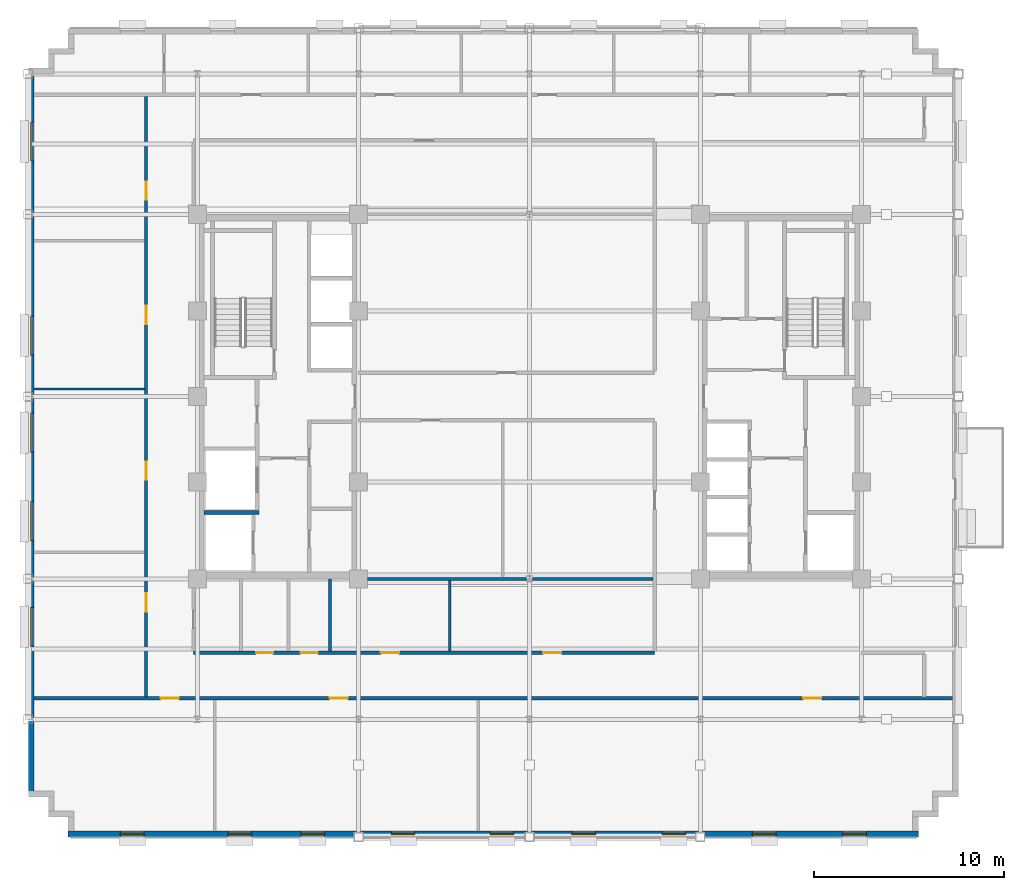
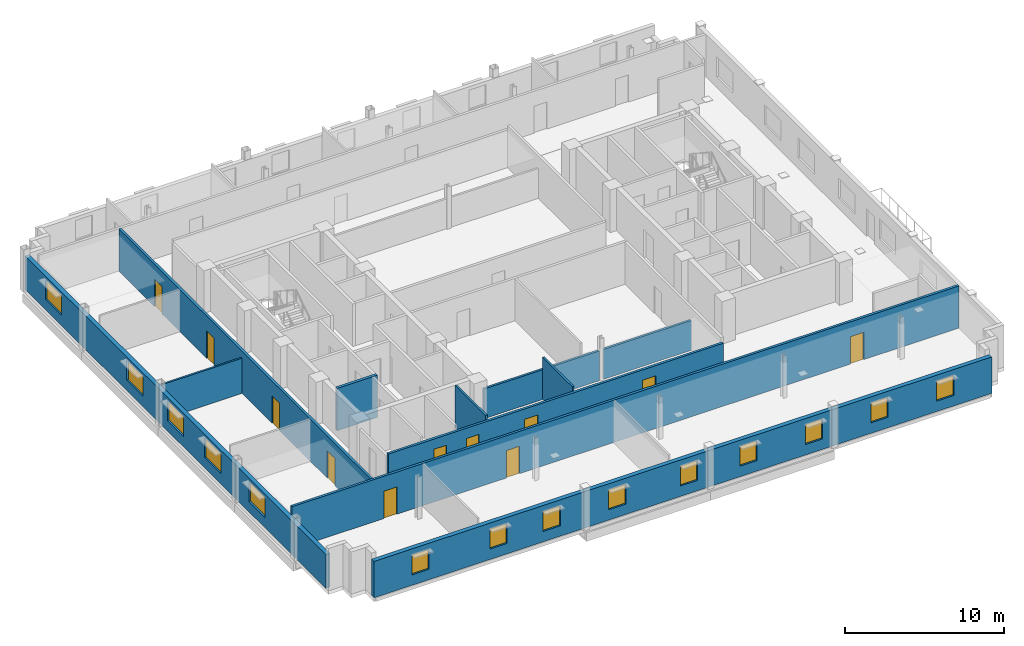
# One storey, part 7 of 15: 14 windows, 11 doors, 11 walls, 25 openings.
"""IFC4 building model written with IfcOpenShell, lengths in metres."""

from ifc_helpers import new_model, si_unit, direction, frame, frame_2d, origin, place, context, subcontext, project, spatial, rectangle, extrude, source, transform, mapped, material, layer, layer_set, type_object, type_shapes, element, fill, save


model = new_model("IFC4")

# Units and contexts
model_context = context("Model", 3, precision=1e-05, world=origin(), true_north=direction((0.0, 1.0)))
body_context = subcontext(model_context, "Body", "Model", "MODEL_VIEW")
ifc_project = project(units=[si_unit("LENGTHUNIT", "METRE"), si_unit("AREAUNIT", "SQUARE_METRE"), si_unit("VOLUMEUNIT", "CUBIC_METRE"), si_unit("PLANEANGLEUNIT", "RADIAN"), si_unit("MASSUNIT", "GRAM", prefix="KILO")], contexts=[model_context])

# Site, building, storey
site_placement = place(None, origin())
site = spatial("IfcSite", under=ifc_project, at=site_placement, CompositionType="ELEMENT")
building_placement = place(site_placement, origin())
building = spatial("IfcBuilding", under=site, at=building_placement, Name="Nuvemarco Arch Tower", CompositionType="ELEMENT")
storey_placement = place(building_placement, frame((0.0, 0.0, 205.5)))
storey = spatial("IfcBuildingStorey", under=building, at=storey_placement, Name="L54", CompositionType="ELEMENT", Elevation=205.5)

# Wall, openings, windows
ifc_material_1 = material(Name="Precast concrete C45/55", Category="concrete")
ifc_layer_1 = layer(ifc_material_1, 0.31005859375, Name="EW-UPP-310")
ifc_layer_set_1 = layer_set([ifc_layer_1], Name="Precast concrete C45/55")
wall_type_1 = type_object("IfcWallType", Name="EW-UPP-310", PredefinedType="STANDARD", material=ifc_layer_set_1)
wall_1_placement = place(storey_placement, frame((-24.300048828125, -23.044921875, 0.0), z_axis=(0.0, 0.0, 1.0), x_axis=(1.0, 0.0, 0.0)))
wall_1 = element("IfcWall", 1, at=wall_1_placement, inside=storey, type_object=wall_type_1, Name="L54 exterior precast facade wall 1", PredefinedType="STANDARD", context=body_context, shape_type="SweptSolid", body=[
    extrude(rectangle(XDim=44.800048828125, YDim=0.31005859375, at=frame_2d((22.39990234375, 0.0))), origin(), (0.0, 0.0, 1.0), 2.7919921875),
])
opening_1_placement = place(wall_1_placement, frame((2.752685546875, 0.0, 0.800048828125)))
opening_1 = element("IfcOpeningElement", 2, at=opening_1_placement, cuts=wall_1, Name="Opening WN-13", PredefinedType="OPENING", context=body_context, shape_type="SweptSolid", body=[
    extrude(rectangle(XDim=1.25, YDim=1.52001953125, at=frame_2d((0.625, 0.760009765625))), frame((0.0, 0.1650390625, 0.0), z_axis=(0.0, -1.0, 0.0), x_axis=(1.0, 0.0, 0.0)), (0.0, 0.0, 1.0), 0.330078125),
])
opening_2_placement = place(wall_1_placement, frame((8.408203125, 0.0, 0.800048828125)))
opening_2 = element("IfcOpeningElement", 3, at=opening_2_placement, cuts=wall_1, Name="Opening WN-13", PredefinedType="OPENING", context=body_context, shape_type="SweptSolid", body=[
    extrude(rectangle(XDim=1.25, YDim=1.52001953125, at=frame_2d((0.625, 0.760009765625))), frame((0.0, 0.1650390625, 0.0), z_axis=(0.0, -1.0, 0.0), x_axis=(1.0, 0.0, 0.0)), (0.0, 0.0, 1.0), 0.330078125),
])
opening_3_placement = place(wall_1_placement, frame((12.263916015625, 0.0, 0.800048828125)))
opening_3 = element("IfcOpeningElement", 4, at=opening_3_placement, cuts=wall_1, Name="Opening WN-13", PredefinedType="OPENING", context=body_context, shape_type="SweptSolid", body=[
    extrude(rectangle(XDim=1.25, YDim=1.52001953125, at=frame_2d((0.625, 0.760009765625))), frame((0.0, 0.1650390625, 0.0), z_axis=(0.0, -1.0, 0.0), x_axis=(1.0, 0.0, 0.0)), (0.0, 0.0, 1.0), 0.330078125),
])
opening_4_placement = place(wall_1_placement, frame((17.019287109375, 0.0, 0.800048828125)))
opening_4 = element("IfcOpeningElement", 5, at=opening_4_placement, cuts=wall_1, Name="Opening WN-13", PredefinedType="OPENING", context=body_context, shape_type="SweptSolid", body=[
    extrude(rectangle(XDim=1.25, YDim=1.52001953125, at=frame_2d((0.625, 0.760009765625))), frame((0.0, 0.1650390625, 0.0), z_axis=(0.0, -1.0, 0.0), x_axis=(1.0, 0.0, 0.0)), (0.0, 0.0, 1.0), 0.330078125),
])
opening_5_placement = place(wall_1_placement, frame((22.22509765625, 0.0, 0.800048828125)))
opening_5 = element("IfcOpeningElement", 6, at=opening_5_placement, cuts=wall_1, Name="Opening WN-13", PredefinedType="OPENING", context=body_context, shape_type="SweptSolid", body=[
    extrude(rectangle(XDim=1.25, YDim=1.52001953125, at=frame_2d((0.625, 0.760009765625))), frame((0.0, 0.1650390625, 0.0), z_axis=(0.0, -1.0, 0.0), x_axis=(1.0, 0.0, 0.0)), (0.0, 0.0, 1.0), 0.330078125),
])
opening_6_placement = place(wall_1_placement, frame((26.530517578125, 0.0, 0.800048828125)))
opening_6 = element("IfcOpeningElement", 7, at=opening_6_placement, cuts=wall_1, Name="Opening WN-13", PredefinedType="OPENING", context=body_context, shape_type="SweptSolid", body=[
    extrude(rectangle(XDim=1.25, YDim=1.52001953125, at=frame_2d((0.625, 0.760009765625))), frame((0.0, 0.1650390625, 0.0), z_axis=(0.0, -1.0, 0.0), x_axis=(1.0, 0.0, 0.0)), (0.0, 0.0, 1.0), 0.330078125),
])
opening_7_placement = place(wall_1_placement, frame((31.2861328125, 0.0, 0.800048828125)))
opening_7 = element("IfcOpeningElement", 8, at=opening_7_placement, cuts=wall_1, Name="Opening WN-13", PredefinedType="OPENING", context=body_context, shape_type="SweptSolid", body=[
    extrude(rectangle(XDim=1.25, YDim=1.52001953125, at=frame_2d((0.625, 0.760009765625))), frame((0.0, 0.1650390625, 0.0), z_axis=(0.0, -1.0, 0.0), x_axis=(1.0, 0.0, 0.0)), (0.0, 0.0, 1.0), 0.330078125),
])
opening_8_placement = place(wall_1_placement, frame((36.041748046875, 0.0, 0.800048828125)))
opening_8 = element("IfcOpeningElement", 9, at=opening_8_placement, cuts=wall_1, Name="Opening WN-13", PredefinedType="OPENING", context=body_context, shape_type="SweptSolid", body=[
    extrude(rectangle(XDim=1.25, YDim=1.52001953125, at=frame_2d((0.625, 0.760009765625))), frame((0.0, 0.1650390625, 0.0), z_axis=(0.0, -1.0, 0.0), x_axis=(1.0, 0.0, 0.0)), (0.0, 0.0, 1.0), 0.330078125),
])
opening_9_placement = place(wall_1_placement, frame((40.797119140625, 0.0, 0.800048828125)))
opening_9 = element("IfcOpeningElement", 10, at=opening_9_placement, cuts=wall_1, Name="Opening WN-13", PredefinedType="OPENING", context=body_context, shape_type="SweptSolid", body=[
    extrude(rectangle(XDim=1.25, YDim=1.52001953125, at=frame_2d((0.625, 0.760009765625))), frame((0.0, 0.1650390625, 0.0), z_axis=(0.0, -1.0, 0.0), x_axis=(1.0, 0.0, 0.0)), (0.0, 0.0, 1.0), 0.330078125),
])
ifc_material_2 = material(Name="Insulated solar-control glass", Category="glass")
window_type_1 = type_object("IfcWindowType", Name="WN-SET-1250x1520", PartitioningType="SINGLE_PANEL", PredefinedType="WINDOW", material=ifc_material_2)
shared_shape_1 = source(origin(), body_context, "Body", "SweptSolid", [
    extrude(rectangle(XDim=1.25, YDim=1.52001953125, at=frame_2d((0.625, 0.760009765625))), frame((0.0, 0.030029296875, 0.0), z_axis=(0.0, -1.0, 0.0), x_axis=(1.0, 0.0, 0.0)), (0.0, 0.0, 1.0), 0.06005859375),
])
type_shapes(window_type_1, [shared_shape_1])
window_1_placement = place(opening_1_placement, origin())
window_1 = element("IfcWindow", 11, at=window_1_placement, inside=storey, type_object=window_type_1, Name="L54 punched facade window 1", OverallHeight=1.52001953125, OverallWidth=1.25, PartitioningType="SINGLE_PANEL", PredefinedType="WINDOW", context=body_context, shape_type="MappedRepresentation", body=[
    mapped(shared_shape_1, transform((0.0, 0.0, 0.0), scale=1.0)),
])
fill(opening_1, window_1)
window_2_placement = place(opening_2_placement, origin())
window_2 = element("IfcWindow", 12, at=window_2_placement, inside=storey, type_object=window_type_1, Name="L54 punched facade window 2", OverallHeight=1.52001953125, OverallWidth=1.25, PartitioningType="SINGLE_PANEL", PredefinedType="WINDOW", context=body_context, shape_type="MappedRepresentation", body=[
    mapped(shared_shape_1, transform((0.0, 0.0, 0.0), scale=1.0)),
])
fill(opening_2, window_2)
window_3_placement = place(opening_3_placement, origin())
window_3 = element("IfcWindow", 13, at=window_3_placement, inside=storey, type_object=window_type_1, Name="L54 punched facade window 3", OverallHeight=1.52001953125, OverallWidth=1.25, PartitioningType="SINGLE_PANEL", PredefinedType="WINDOW", context=body_context, shape_type="MappedRepresentation", body=[
    mapped(shared_shape_1, transform((0.0, 0.0, 0.0), scale=1.0)),
])
fill(opening_3, window_3)
window_4_placement = place(opening_4_placement, origin())
window_4 = element("IfcWindow", 14, at=window_4_placement, inside=storey, type_object=window_type_1, Name="L54 punched facade window 4", OverallHeight=1.52001953125, OverallWidth=1.25, PartitioningType="SINGLE_PANEL", PredefinedType="WINDOW", context=body_context, shape_type="MappedRepresentation", body=[
    mapped(shared_shape_1, transform((0.0, 0.0, 0.0), scale=1.0)),
])
fill(opening_4, window_4)
window_5_placement = place(opening_5_placement, origin())
window_5 = element("IfcWindow", 15, at=window_5_placement, inside=storey, type_object=window_type_1, Name="L54 punched facade window 5", OverallHeight=1.52001953125, OverallWidth=1.25, PartitioningType="SINGLE_PANEL", PredefinedType="WINDOW", context=body_context, shape_type="MappedRepresentation", body=[
    mapped(shared_shape_1, transform((0.0, 0.0, 0.0), scale=1.0)),
])
fill(opening_5, window_5)
window_6_placement = place(opening_6_placement, origin())
window_6 = element("IfcWindow", 16, at=window_6_placement, inside=storey, type_object=window_type_1, Name="L54 punched facade window 6", OverallHeight=1.52001953125, OverallWidth=1.25, PartitioningType="SINGLE_PANEL", PredefinedType="WINDOW", context=body_context, shape_type="MappedRepresentation", body=[
    mapped(shared_shape_1, transform((0.0, 0.0, 0.0), scale=1.0)),
])
fill(opening_6, window_6)
window_7_placement = place(opening_7_placement, origin())
window_7 = element("IfcWindow", 17, at=window_7_placement, inside=storey, type_object=window_type_1, Name="L54 punched facade window 7", OverallHeight=1.52001953125, OverallWidth=1.25, PartitioningType="SINGLE_PANEL", PredefinedType="WINDOW", context=body_context, shape_type="MappedRepresentation", body=[
    mapped(shared_shape_1, transform((0.0, 0.0, 0.0), scale=1.0)),
])
fill(opening_7, window_7)
window_8_placement = place(opening_8_placement, origin())
window_8 = element("IfcWindow", 18, at=window_8_placement, inside=storey, type_object=window_type_1, Name="L54 punched facade window 8", OverallHeight=1.52001953125, OverallWidth=1.25, PartitioningType="SINGLE_PANEL", PredefinedType="WINDOW", context=body_context, shape_type="MappedRepresentation", body=[
    mapped(shared_shape_1, transform((0.0, 0.0, 0.0), scale=1.0)),
])
fill(opening_8, window_8)
window_9_placement = place(opening_9_placement, origin())
window_9 = element("IfcWindow", 19, at=window_9_placement, inside=storey, type_object=window_type_1, Name="L54 punched facade window 9", OverallHeight=1.52001953125, OverallWidth=1.25, PartitioningType="SINGLE_PANEL", PredefinedType="WINDOW", context=body_context, shape_type="MappedRepresentation", body=[
    mapped(shared_shape_1, transform((0.0, 0.0, 0.0), scale=1.0)),
])
fill(opening_9, window_9)

wall_2_placement = place(storey_placement, frame((-26.2451171875, -20.7939453125, 0.0), z_axis=(0.0, 0.0, 1.0), x_axis=(0.0, 1.0, 0.0)))
wall_2 = element("IfcWall", 20, at=wall_2_placement, inside=storey, type_object=wall_type_1, Name="L54 exterior precast facade wall 16", PredefinedType="STANDARD", context=body_context, shape_type="SweptSolid", body=[
    extrude(rectangle(XDim=37.787841796875, YDim=0.31005859375, at=frame_2d((18.89404296875, 0.0))), origin(), (0.0, 0.0, 1.0), 2.5849609375),
])
opening_10_placement = place(wall_2_placement, frame((7.643798828125, 0.0, 0.800048828125)))
opening_10 = element("IfcOpeningElement", 21, at=opening_10_placement, cuts=wall_2, Name="Opening WN-12", PredefinedType="OPENING", context=body_context, shape_type="SweptSolid", body=[
    extrude(rectangle(XDim=2.050048828125, YDim=1.52001953125, at=frame_2d((1.02490234375, 0.760009765625))), frame((0.0, 0.1650390625, 0.0), z_axis=(0.0, -1.0, 0.0), x_axis=(1.0, 0.0, 0.0)), (0.0, 0.0, 1.0), 0.330078125),
])
opening_11_placement = place(wall_2_placement, frame((13.206298828125, 0.0, 0.800048828125)))
opening_11 = element("IfcOpeningElement", 22, at=opening_11_placement, cuts=wall_2, Name="Opening WN-12", PredefinedType="OPENING", context=body_context, shape_type="SweptSolid", body=[
    extrude(rectangle(XDim=2.050048828125, YDim=1.52001953125, at=frame_2d((1.02490234375, 0.760009765625))), frame((0.0, 0.1650390625, 0.0), z_axis=(0.0, -1.0, 0.0), x_axis=(1.0, 0.0, 0.0)), (0.0, 0.0, 1.0), 0.330078125),
])
opening_12_placement = place(wall_2_placement, frame((17.868896484375, 0.0, 0.800048828125)))
opening_12 = element("IfcOpeningElement", 23, at=opening_12_placement, cuts=wall_2, Name="Opening WN-12", PredefinedType="OPENING", context=body_context, shape_type="SweptSolid", body=[
    extrude(rectangle(XDim=2.050048828125, YDim=1.52001953125, at=frame_2d((1.02490234375, 0.760009765625))), frame((0.0, 0.1650390625, 0.0), z_axis=(0.0, -1.0, 0.0), x_axis=(1.0, 0.0, 0.0)), (0.0, 0.0, 1.0), 0.330078125),
])
opening_13_placement = place(wall_2_placement, frame((22.981689453125, 0.0, 0.800048828125)))
opening_13 = element("IfcOpeningElement", 24, at=opening_13_placement, cuts=wall_2, Name="Opening WN-12", PredefinedType="OPENING", context=body_context, shape_type="SweptSolid", body=[
    extrude(rectangle(XDim=2.050048828125, YDim=1.52001953125, at=frame_2d((1.02490234375, 0.760009765625))), frame((0.0, 0.1650390625, 0.0), z_axis=(0.0, -1.0, 0.0), x_axis=(1.0, 0.0, 0.0)), (0.0, 0.0, 1.0), 0.330078125),
])
opening_14_placement = place(wall_2_placement, frame((33.206787109375, 0.0, 0.800048828125)))
opening_14 = element("IfcOpeningElement", 25, at=opening_14_placement, cuts=wall_2, Name="Opening WN-12", PredefinedType="OPENING", context=body_context, shape_type="SweptSolid", body=[
    extrude(rectangle(XDim=2.050048828125, YDim=1.52001953125, at=frame_2d((1.02490234375, 0.760009765625))), frame((0.0, 0.1650390625, 0.0), z_axis=(0.0, -1.0, 0.0), x_axis=(1.0, 0.0, 0.0)), (0.0, 0.0, 1.0), 0.330078125),
])
window_type_2 = type_object("IfcWindowType", Name="WN-SET-2050x1520", PartitioningType="DOUBLE_PANEL_VERTICAL", PredefinedType="WINDOW", material=ifc_material_2)
shared_shape_2 = source(origin(), body_context, "Body", "SweptSolid", [
    extrude(rectangle(XDim=2.050048828125, YDim=1.52001953125, at=frame_2d((1.02490234375, 0.760009765625))), frame((0.0, 0.030029296875, 0.0), z_axis=(0.0, -1.0, 0.0), x_axis=(1.0, 0.0, 0.0)), (0.0, 0.0, 1.0), 0.06005859375),
])
type_shapes(window_type_2, [shared_shape_2])
window_10_placement = place(opening_10_placement, origin())
window_10 = element("IfcWindow", 26, at=window_10_placement, inside=storey, type_object=window_type_2, Name="L54 punched facade window 2", OverallHeight=1.52001953125, OverallWidth=2.050048828125, PartitioningType="SINGLE_PANEL", PredefinedType="WINDOW", context=body_context, shape_type="MappedRepresentation", body=[
    mapped(shared_shape_2, transform((0.0, 0.0, 0.0), scale=1.0)),
])
fill(opening_10, window_10)
window_11_placement = place(opening_11_placement, origin())
window_11 = element("IfcWindow", 27, at=window_11_placement, inside=storey, type_object=window_type_2, Name="L54 punched facade window 3", OverallHeight=1.52001953125, OverallWidth=2.050048828125, PartitioningType="SINGLE_PANEL", PredefinedType="WINDOW", context=body_context, shape_type="MappedRepresentation", body=[
    mapped(shared_shape_2, transform((0.0, 0.0, 0.0), scale=1.0)),
])
fill(opening_11, window_11)
window_12_placement = place(opening_12_placement, origin())
window_12 = element("IfcWindow", 28, at=window_12_placement, inside=storey, type_object=window_type_2, Name="L54 punched facade window 4", OverallHeight=1.52001953125, OverallWidth=2.050048828125, PartitioningType="SINGLE_PANEL", PredefinedType="WINDOW", context=body_context, shape_type="MappedRepresentation", body=[
    mapped(shared_shape_2, transform((0.0, 0.0, 0.0), scale=1.0)),
])
fill(opening_12, window_12)
window_13_placement = place(opening_13_placement, origin())
window_13 = element("IfcWindow", 29, at=window_13_placement, inside=storey, type_object=window_type_2, Name="L54 punched facade window 5", OverallHeight=1.52001953125, OverallWidth=2.050048828125, PartitioningType="SINGLE_PANEL", PredefinedType="WINDOW", context=body_context, shape_type="MappedRepresentation", body=[
    mapped(shared_shape_2, transform((0.0, 0.0, 0.0), scale=1.0)),
])
fill(opening_13, window_13)
window_14_placement = place(opening_14_placement, origin())
window_14 = element("IfcWindow", 30, at=window_14_placement, inside=storey, type_object=window_type_2, Name="L54 punched facade window 7", OverallHeight=1.52001953125, OverallWidth=2.050048828125, PartitioningType="SINGLE_PANEL", PredefinedType="WINDOW", context=body_context, shape_type="MappedRepresentation", body=[
    mapped(shared_shape_2, transform((0.0, 0.0, 0.0), scale=1.0)),
])
fill(opening_14, window_14)

# Wall, openings, doors
ifc_material_3 = material(Name="Fire-rated gypsum drywall partition")
ifc_layer_2 = layer(ifc_material_3, 0.179931640625, Name="WL-CORR-180")
ifc_layer_set_2 = layer_set([ifc_layer_2], Name="Fire-rated gypsum drywall partition")
wall_type_2 = type_object("IfcWallType", Name="WL-CORR-180", PredefinedType="PARTITIONING", material=ifc_layer_set_2)
wall_3_placement = place(storey_placement, frame((-26.090087890625, -15.89990234375, 0.0), z_axis=(0.0, 0.0, 1.0), x_axis=(1.0, 0.0, 0.0)))
wall_3 = element("IfcWall", 31, at=wall_3_placement, inside=storey, type_object=wall_type_2, Name="L54 interior wall IW-L54-001", PredefinedType="PARTITIONING", context=body_context, shape_type="SweptSolid", body=[
    extrude(rectangle(XDim=48.380126953125, YDim=0.179931640625, at=frame_2d((24.18994140625, 0.0))), origin(), (0.0, 0.0, 1.0), 3.239990234375),
])
opening_15_placement = place(wall_3_placement, frame((15.56005859375, 0.0, 0.0)))
opening_15 = element("IfcOpeningElement", 32, at=opening_15_placement, cuts=wall_3, Name="Opening FD-5", PredefinedType="OPENING", context=body_context, shape_type="SweptSolid", body=[
    extrude(rectangle(XDim=0.9599609375, YDim=2.10009765625, at=frame_2d((0.47998046875, 1.050048828125))), frame((0.0, 0.099853515625, 0.0), z_axis=(0.0, -1.0, 0.0), x_axis=(1.0, 0.0, 0.0)), (0.0, 0.0, 1.0), 0.199951171875),
])
opening_16_placement = place(wall_3_placement, frame((40.510009765625, 0.0, 0.0)))
opening_16 = element("IfcOpeningElement", 33, at=opening_16_placement, cuts=wall_3, Name="Opening FD-5", PredefinedType="OPENING", context=body_context, shape_type="SweptSolid", body=[
    extrude(rectangle(XDim=0.9599609375, YDim=2.10009765625, at=frame_2d((0.47998046875, 1.050048828125))), frame((0.0, 0.099853515625, 0.0), z_axis=(0.0, -1.0, 0.0), x_axis=(1.0, 0.0, 0.0)), (0.0, 0.0, 1.0), 0.199951171875),
])
opening_17_placement = place(wall_3_placement, frame((6.659912109375, 0.0, 0.0)))
opening_17 = element("IfcOpeningElement", 34, at=opening_17_placement, cuts=wall_3, Name="Opening FD-5", PredefinedType="OPENING", context=body_context, shape_type="SweptSolid", body=[
    extrude(rectangle(XDim=0.9599609375, YDim=2.10009765625, at=frame_2d((0.47998046875, 1.050048828125))), frame((0.0, 0.099853515625, 0.0), z_axis=(0.0, -1.0, 0.0), x_axis=(1.0, 0.0, 0.0)), (0.0, 0.0, 1.0), 0.199951171875),
])
ifc_material_4 = material(Name="Timber fire door", Category="wood")
door_type_1 = type_object("IfcDoorType", Name="DR-CORR-FD", OperationType="NOTDEFINED", PredefinedType="DOOR", material=ifc_material_4)
shared_shape_3 = source(origin(), body_context, "Body", "SweptSolid", [
    extrude(rectangle(XDim=0.9599609375, YDim=2.10009765625, at=frame_2d((0.47998046875, 1.050048828125))), frame((0.0, 0.02490234375, 0.0), z_axis=(0.0, -1.0, 0.0), x_axis=(1.0, 0.0, 0.0)), (0.0, 0.0, 1.0), 0.050048828125),
])
type_shapes(door_type_1, [shared_shape_3])
door_1_placement = place(opening_15_placement, origin())
door_1 = element("IfcDoor", 35, at=door_1_placement, inside=storey, type_object=door_type_1, Name="L54 door DR-L54-S_2", OperationType="SINGLE_SWING_RIGHT", OverallHeight=2.10009765625, OverallWidth=0.9599609375, PredefinedType="DOOR", context=body_context, shape_type="MappedRepresentation", body=[
    mapped(shared_shape_3, transform((0.0, 0.0, 0.0), scale=1.0)),
])
fill(opening_15, door_1)
door_2_placement = place(opening_16_placement, origin())
door_2 = element("IfcDoor", 36, at=door_2_placement, inside=storey, type_object=door_type_1, Name="L54 door DR-L54-S_3", OperationType="SINGLE_SWING_LEFT", OverallHeight=2.10009765625, OverallWidth=0.9599609375, PredefinedType="DOOR", context=body_context, shape_type="MappedRepresentation", body=[
    mapped(shared_shape_3, transform((0.0, 0.0, 0.0), scale=1.0)),
])
fill(opening_16, door_2)
door_3_placement = place(opening_17_placement, origin())
door_3 = element("IfcDoor", 37, at=door_3_placement, inside=storey, type_object=door_type_1, Name="L54 door DR-L54-S_1", OperationType="SINGLE_SWING_LEFT", OverallHeight=2.10009765625, OverallWidth=0.9599609375, PredefinedType="DOOR", context=body_context, shape_type="MappedRepresentation", body=[
    mapped(shared_shape_3, transform((0.0, 0.0, 0.0), scale=1.0)),
])
fill(opening_17, door_3)

wall_4_placement = place(storey_placement, frame((-17.699951171875, -13.5, 0.0), z_axis=(0.0, 0.0, 1.0), x_axis=(1.0, 0.0, 0.0)))
wall_4 = element("IfcWall", 38, at=wall_4_placement, inside=storey, type_object=wall_type_2, Name="L54 interior wall IW-L54-002", PredefinedType="PARTITIONING", context=body_context, shape_type="SweptSolid", body=[
    extrude(rectangle(XDim=24.300048828125, YDim=0.179931640625, at=frame_2d((12.14990234375, 0.0))), origin(), (0.0, 0.0, 1.0), 2.887939453125),
])
opening_18_placement = place(wall_4_placement, frame((18.419921875, 0.0, 0.0)))
opening_18 = element("IfcOpeningElement", 39, at=opening_18_placement, cuts=wall_4, Name="Opening FD-5", PredefinedType="OPENING", context=body_context, shape_type="SweptSolid", body=[
    extrude(rectangle(XDim=0.9599609375, YDim=2.10009765625, at=frame_2d((0.47998046875, 1.050048828125))), frame((0.0, 0.099853515625, 0.0), z_axis=(0.0, -1.0, 0.0), x_axis=(1.0, 0.0, 0.0)), (0.0, 0.0, 1.0), 0.199951171875),
])
opening_19_placement = place(wall_4_placement, frame((9.8701171875, 0.0, 0.0)))
opening_19 = element("IfcOpeningElement", 40, at=opening_19_placement, cuts=wall_4, Name="Opening FD-5", PredefinedType="OPENING", context=body_context, shape_type="SweptSolid", body=[
    extrude(rectangle(XDim=0.9599609375, YDim=2.10009765625, at=frame_2d((0.47998046875, 1.050048828125))), frame((0.0, 0.099853515625, 0.0), z_axis=(0.0, -1.0, 0.0), x_axis=(1.0, 0.0, 0.0)), (0.0, 0.0, 1.0), 0.199951171875),
])
opening_20_placement = place(wall_4_placement, frame((3.300048828125, 0.0, 0.0)))
opening_20 = element("IfcOpeningElement", 41, at=opening_20_placement, cuts=wall_4, Name="Opening ID-3", PredefinedType="OPENING", context=body_context, shape_type="SweptSolid", body=[
    extrude(rectangle(XDim=0.89990234375, YDim=2.10009765625, at=frame_2d((0.449951171875, 1.050048828125))), frame((0.0, 0.099853515625, 0.0), z_axis=(0.0, -1.0, 0.0), x_axis=(1.0, 0.0, 0.0)), (0.0, 0.0, 1.0), 0.199951171875),
])
opening_21_placement = place(wall_4_placement, frame((5.64990234375, 0.0, 0.0)))
opening_21 = element("IfcOpeningElement", 42, at=opening_21_placement, cuts=wall_4, Name="Opening ID-3", PredefinedType="OPENING", context=body_context, shape_type="SweptSolid", body=[
    extrude(rectangle(XDim=0.89990234375, YDim=2.10009765625, at=frame_2d((0.449951171875, 1.050048828125))), frame((0.0, 0.099853515625, 0.0), z_axis=(0.0, -1.0, 0.0), x_axis=(1.0, 0.0, 0.0)), (0.0, 0.0, 1.0), 0.199951171875),
])
door_4_placement = place(opening_18_placement, origin())
door_4 = element("IfcDoor", 43, at=door_4_placement, inside=storey, type_object=door_type_1, Name="L54 door DR-L54-IN_S2", OperationType="SINGLE_SWING_RIGHT", OverallHeight=2.10009765625, OverallWidth=0.9599609375, PredefinedType="DOOR", context=body_context, shape_type="MappedRepresentation", body=[
    mapped(shared_shape_3, transform((0.0, 0.0, 0.0), scale=1.0)),
])
fill(opening_18, door_4)
door_5_placement = place(opening_19_placement, origin())
door_5 = element("IfcDoor", 44, at=door_5_placement, inside=storey, type_object=door_type_1, Name="L54 door DR-L54-IN_S1", OperationType="SINGLE_SWING_RIGHT", OverallHeight=2.10009765625, OverallWidth=0.9599609375, PredefinedType="DOOR", context=body_context, shape_type="MappedRepresentation", body=[
    mapped(shared_shape_3, transform((0.0, 0.0, 0.0), scale=1.0)),
])
fill(opening_19, door_5)
ifc_material_5 = material(Name="Veneered oak timber fire door", Category="wood")
door_type_2 = type_object("IfcDoorType", Name="DR-WC-ACC", OperationType="NOTDEFINED", PredefinedType="DOOR", material=ifc_material_5)
shared_shape_4 = source(origin(), body_context, "Body", "SweptSolid", [
    extrude(rectangle(XDim=0.89990234375, YDim=2.10009765625, at=frame_2d((0.449951171875, 1.050048828125))), frame((0.0, 0.02490234375, 0.0), z_axis=(0.0, -1.0, 0.0), x_axis=(1.0, 0.0, 0.0)), (0.0, 0.0, 1.0), 0.050048828125),
])
type_shapes(door_type_2, [shared_shape_4])
door_6_placement = place(opening_20_placement, origin())
door_6 = element("IfcDoor", 45, at=door_6_placement, inside=storey, type_object=door_type_2, Name="L54 door DR-L54-WC_F", OperationType="SINGLE_SWING_RIGHT", OverallHeight=2.10009765625, OverallWidth=0.89990234375, PredefinedType="DOOR", context=body_context, shape_type="MappedRepresentation", body=[
    mapped(shared_shape_4, transform((0.0, 0.0, 0.0), scale=1.0)),
])
fill(opening_20, door_6)
door_7_placement = place(opening_21_placement, origin())
door_7 = element("IfcDoor", 46, at=door_7_placement, inside=storey, type_object=door_type_2, Name="L54 door DR-L54-WC_ACC", OperationType="SINGLE_SWING_LEFT", OverallHeight=2.10009765625, OverallWidth=0.89990234375, PredefinedType="DOOR", context=body_context, shape_type="MappedRepresentation", body=[
    mapped(shared_shape_4, transform((0.0, 0.0, 0.0), scale=1.0)),
])
fill(opening_21, door_7)

wall_5_placement = place(storey_placement, frame((-20.199951171875, -15.81396484375, 0.0), z_axis=(0.0, 0.0, 1.0), x_axis=(0.0, 1.0, 0.0)))
wall_5 = element("IfcWall", 47, at=wall_5_placement, inside=storey, type_object=wall_type_2, Name="L54 interior wall IW-L54-016", PredefinedType="PARTITIONING", context=body_context, shape_type="SweptSolid", body=[
    extrude(rectangle(XDim=31.6279296875, YDim=0.179931640625, at=frame_2d((15.81396484375, 0.0))), origin(), (0.0, 0.0, 1.0), 3.239990234375),
])
opening_22_placement = place(wall_5_placement, frame((11.43408203125, 0.0, 0.0)))
opening_22 = element("IfcOpeningElement", 48, at=opening_22_placement, cuts=wall_5, Name="Opening FD-5", PredefinedType="OPENING", context=body_context, shape_type="SweptSolid", body=[
    extrude(rectangle(XDim=0.9599609375, YDim=2.10009765625, at=frame_2d((0.47998046875, 1.050048828125))), frame((0.0, 0.099853515625, 0.0), z_axis=(0.0, -1.0, 0.0), x_axis=(1.0, 0.0, 0.0)), (0.0, 0.0, 1.0), 0.199951171875),
])
opening_23_placement = place(wall_5_placement, frame((19.634033203125, 0.0, 0.0)))
opening_23 = element("IfcOpeningElement", 49, at=opening_23_placement, cuts=wall_5, Name="Opening FD-5", PredefinedType="OPENING", context=body_context, shape_type="SweptSolid", body=[
    extrude(rectangle(XDim=0.9599609375, YDim=2.10009765625, at=frame_2d((0.47998046875, 1.050048828125))), frame((0.0, 0.099853515625, 0.0), z_axis=(0.0, -1.0, 0.0), x_axis=(1.0, 0.0, 0.0)), (0.0, 0.0, 1.0), 0.199951171875),
])
opening_24_placement = place(wall_5_placement, frame((4.48388671875, 0.0, 0.0)))
opening_24 = element("IfcOpeningElement", 50, at=opening_24_placement, cuts=wall_5, Name="Opening FD-5", PredefinedType="OPENING", context=body_context, shape_type="SweptSolid", body=[
    extrude(rectangle(XDim=0.9599609375, YDim=2.10009765625, at=frame_2d((0.47998046875, 1.050048828125))), frame((0.0, 0.099853515625, 0.0), z_axis=(0.0, -1.0, 0.0), x_axis=(1.0, 0.0, 0.0)), (0.0, 0.0, 1.0), 0.199951171875),
])
opening_25_placement = place(wall_5_placement, frame((26.18408203125, 0.0, 0.0)))
opening_25 = element("IfcOpeningElement", 51, at=opening_25_placement, cuts=wall_5, Name="Opening FD-5", PredefinedType="OPENING", context=body_context, shape_type="SweptSolid", body=[
    extrude(rectangle(XDim=0.9599609375, YDim=2.10009765625, at=frame_2d((0.47998046875, 1.050048828125))), frame((0.0, 0.099853515625, 0.0), z_axis=(0.0, -1.0, 0.0), x_axis=(1.0, 0.0, 0.0)), (0.0, 0.0, 1.0), 0.199951171875),
])
door_8_placement = place(opening_22_placement, origin())
door_8 = element("IfcDoor", 52, at=door_8_placement, inside=storey, type_object=door_type_1, Name="L54 door DR-L54-W_2", OperationType="SINGLE_SWING_RIGHT", OverallHeight=2.10009765625, OverallWidth=0.9599609375, PredefinedType="DOOR", context=body_context, shape_type="MappedRepresentation", body=[
    mapped(shared_shape_3, transform((0.0, 0.0, 0.0), scale=1.0)),
])
fill(opening_22, door_8)
door_9_placement = place(opening_23_placement, origin())
door_9 = element("IfcDoor", 53, at=door_9_placement, inside=storey, type_object=door_type_1, Name="L54 door DR-L54-W_3", OperationType="SINGLE_SWING_RIGHT", OverallHeight=2.10009765625, OverallWidth=0.9599609375, PredefinedType="DOOR", context=body_context, shape_type="MappedRepresentation", body=[
    mapped(shared_shape_3, transform((0.0, 0.0, 0.0), scale=1.0)),
])
fill(opening_23, door_9)
door_10_placement = place(opening_24_placement, origin())
door_10 = element("IfcDoor", 54, at=door_10_placement, inside=storey, type_object=door_type_1, Name="L54 door DR-L54-W_1", OperationType="SINGLE_SWING_RIGHT", OverallHeight=2.10009765625, OverallWidth=0.9599609375, PredefinedType="DOOR", context=body_context, shape_type="MappedRepresentation", body=[
    mapped(shared_shape_3, transform((0.0, 0.0, 0.0), scale=1.0)),
])
fill(opening_24, door_10)
door_11_placement = place(opening_25_placement, origin())
door_11 = element("IfcDoor", 55, at=door_11_placement, inside=storey, type_object=door_type_1, Name="L54 door DR-L54-W_4", OperationType="SINGLE_SWING_LEFT", OverallHeight=2.10009765625, OverallWidth=0.9599609375, PredefinedType="DOOR", context=body_context, shape_type="MappedRepresentation", body=[
    mapped(shared_shape_3, transform((0.0, 0.0, 0.0), scale=1.0)),
])
fill(opening_25, door_11)

# Walls
ifc_material_6 = material(Name="Glazed acoustic office partition")
ifc_layer_3 = layer(ifc_material_6, 0.1298828125, Name="WL-EXEC-130")
ifc_layer_set_3 = layer_set([ifc_layer_3], Name="Glazed acoustic office partition")
wall_type_3 = type_object("IfcWallType", Name="WL-EXEC-130", PredefinedType="PARTITIONING", material=ifc_layer_set_3)
wall_6_placement = place(storey_placement, frame((-26.090087890625, 0.39990234375, 0.0), z_axis=(0.0, 0.0, 1.0), x_axis=(1.0, 0.0, 0.0)))
element("IfcWall", 56, at=wall_6_placement, inside=storey, type_object=wall_type_3, Name="L54 interior wall IW-L54-008", PredefinedType="PARTITIONING", context=body_context, shape_type="SweptSolid", body=[
    extrude(rectangle(XDim=5.80419921875, YDim=0.1298828125, at=frame_2d((2.902099609375, 0.0))), origin(), (0.0, 0.0, 1.0), 2.696044921875),
])
ifc_material_7 = material(Name="Gypsum plasterboard partition")
ifc_layer_4 = layer(ifc_material_7, 0.139892578125, Name="WL-ROOM-140")
ifc_layer_set_4 = layer_set([ifc_layer_4], Name="Gypsum plasterboard partition")
wall_type_4 = type_object("IfcWallType", Name="WL-ROOM-140", PredefinedType="PARTITIONING", material=ifc_layer_set_4)
wall_7_placement = place(storey_placement, frame((-4.199951171875, -13.4140625, 0.0), z_axis=(0.0, 0.0, 1.0), x_axis=(0.0, 1.0, 0.0)))
element("IfcWall", 57, at=wall_7_placement, inside=storey, type_object=wall_type_4, Name="L54 interior wall IW-L54-025", PredefinedType="PARTITIONING", context=body_context, shape_type="SweptSolid", body=[
    extrude(rectangle(XDim=3.738037109375, YDim=0.139892578125, at=frame_2d((1.869140625, 0.0))), origin(), (0.0, 0.0, 1.0), 3.239990234375),
])
ifc_material_8 = material(Name="Concrete C50/60", Category="concrete")
ifc_layer_5 = layer(ifc_material_8, 0.199951171875, Name="WL-SHAFT-220")
ifc_layer_set_5 = layer_set([ifc_layer_5], Name="Concrete C50/60")
wall_type_5 = type_object("IfcWallType", Name="WL-SHAFT-220", PredefinedType="SHEAR", material=ifc_layer_set_5)
wall_8_placement = place(storey_placement, frame((-17.155029296875, -6.10009765625, 0.0), z_axis=(0.0, 0.0, 1.0), x_axis=(1.0, 0.0, 0.0)))
element("IfcWall", 58, at=wall_8_placement, inside=storey, type_object=wall_type_5, Name="L54 structural shaft wall SW-L54-W-SH1", PredefinedType="SHEAR", context=body_context, shape_type="SweptSolid", body=[
    extrude(rectangle(XDim=2.905029296875, YDim=0.199951171875, at=frame_2d((1.45263671875, 0.0))), origin(), (0.0, 0.0, 1.0), 3.25),
])
ifc_material_9 = material(Name="Acoustic gypsum drywall partition")
ifc_layer_6 = layer(ifc_material_9, 0.159912109375, Name="WL-TENANT-160")
ifc_layer_set_6 = layer_set([ifc_layer_6], Name="Acoustic gypsum drywall partition")
wall_type_6 = type_object("IfcWallType", Name="WL-TENANT-160", PredefinedType="PARTITIONING", material=ifc_layer_set_6)
wall_9_placement = place(storey_placement, frame((-8.529052734375, -9.60009765625, 0.0), z_axis=(0.0, 0.0, 1.0), x_axis=(1.0, 0.0, 0.0)))
element("IfcWall", 59, at=wall_9_placement, inside=storey, type_object=wall_type_6, Name="L54 interior wall IW-L54-004", PredefinedType="PARTITIONING", context=body_context, shape_type="SweptSolid", body=[
    extrude(rectangle(XDim=8.378173828125, YDim=0.159912109375, at=frame_2d((4.18896484375, 0.0))), origin(), (0.0, 0.0, 1.0), 2.284912109375),
])
wall_10_placement = place(storey_placement, frame((0.15087890625, -9.60009765625, 0.0), z_axis=(0.0, 0.0, 1.0), x_axis=(1.0, 0.0, 0.0)))
element("IfcWall", 60, at=wall_10_placement, inside=storey, type_object=wall_type_6, Name="L54 interior wall IW-L54-005", PredefinedType="PARTITIONING", context=body_context, shape_type="SweptSolid", body=[
    extrude(rectangle(XDim=6.363037109375, YDim=0.159912109375, at=frame_2d((3.181640625, 0.0))), origin(), (0.0, 0.0, 1.0), 2.284912109375),
])
ifc_material_10 = material(Name="Moisture-resistant gypsum partition")
ifc_layer_7 = layer(ifc_material_10, 0.14990234375, Name="WL-WET-150")
ifc_layer_set_7 = layer_set([ifc_layer_7], Name="Moisture-resistant gypsum partition")
wall_type_7 = type_object("IfcWallType", Name="WL-WET-150", PredefinedType="PARTITIONING", material=ifc_layer_set_7)
wall_11_placement = place(storey_placement, frame((-10.5, -13.4140625, 0.0), z_axis=(0.0, 0.0, 1.0), x_axis=(0.0, 1.0, 0.0)))
element("IfcWall", 61, at=wall_11_placement, inside=storey, type_object=wall_type_7, Name="L54 interior wall IW-L54-024", PredefinedType="PARTITIONING", context=body_context, shape_type="SweptSolid", body=[
    extrude(rectangle(XDim=3.81396484375, YDim=0.14990234375, at=frame_2d((1.906982421875, 0.0))), origin(), (0.0, 0.0, 1.0), 3.239990234375),
])

save(model, "model.ifc")
